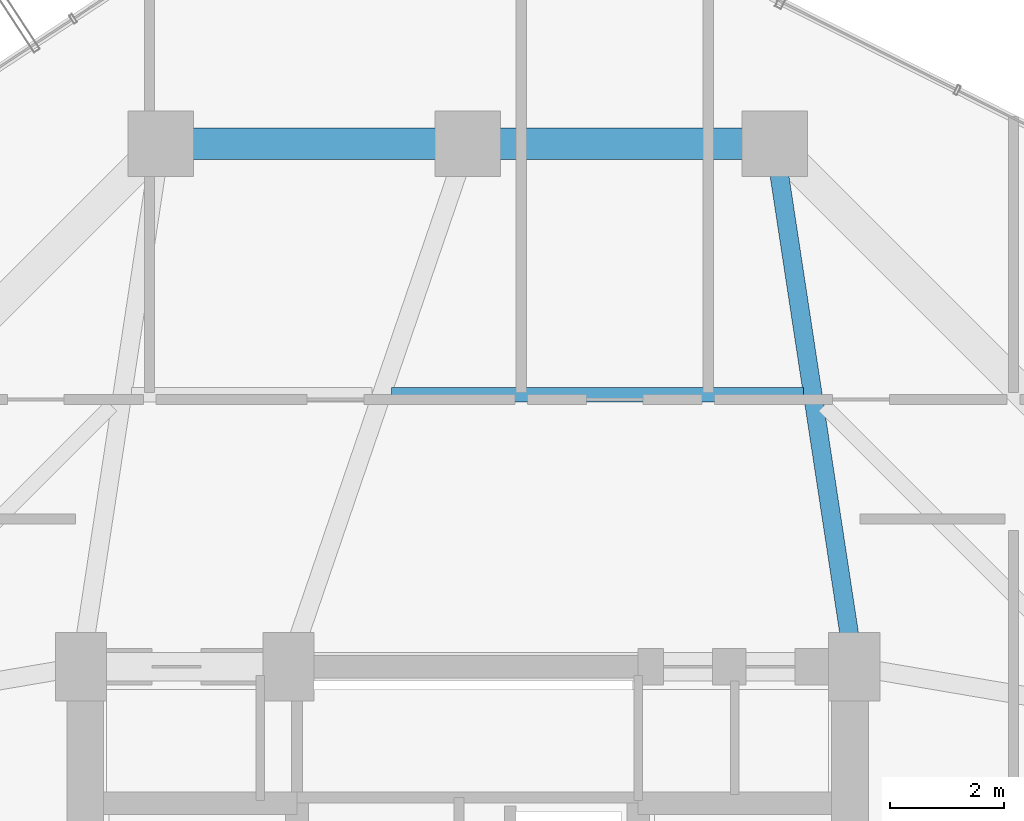
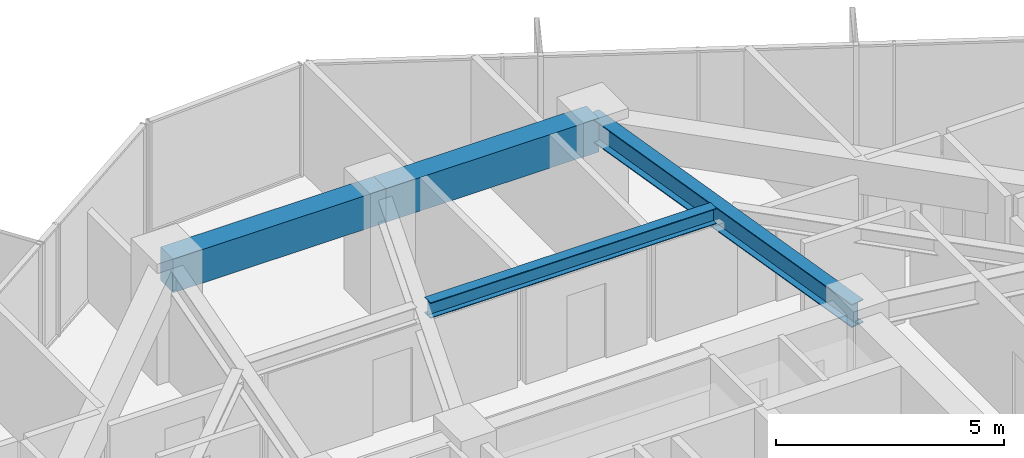
# One storey, part 22 of 33: 4 beams.
"""IFC4 building model written with IfcOpenShell, lengths in metres."""

import ifcopenshell
import ifcopenshell.guid

model = None  # the IFC model being written
_history = None  # IfcOwnerHistory: only IFC2X3 demands one
_inside = {}  # id of a spatial element -> (the spatial element, [elements in it])
_under = {}  # id of a project, library or spatial element -> (it, [spatial elements below it])
_declared = {}  # id of a project -> (the project, [libraries it declares])
_typed = {}  # id of a type object -> (the type object, [elements of that type])
_made_of = {}  # id of a material, layer set ... -> (it, [elements and type objects made of it])


def new_model(schema):
    """Start an empty IFC model of exactly this schema.

    Asked for "IFC4X3", IfcOpenShell would pick the latest addendum, in which some entities
    have other attributes; the version numbers below select the first issue.
    IFC2X3 requires an IfcOwnerHistory on every rooted entity: one is made here for all.
    """
    global model, _history
    if schema == "IFC4X3":
        model = ifcopenshell.file(schema_version=(4, 3, 0, 0))
    else:
        model = ifcopenshell.file(schema=schema)
    _inside.clear()
    _under.clear()
    _declared.clear()
    _typed.clear()
    _made_of.clear()
    _history = None
    if model.schema == "IFC2X3":
        org = make("IfcOrganization", Name="unknown")
        user = make(
            "IfcPersonAndOrganization",
            ThePerson=make("IfcPerson", FamilyName="unknown"),
            TheOrganization=org,
        )
        app = make(
            "IfcApplication",
            ApplicationDeveloper=org,
            Version="unknown",
            ApplicationFullName="unknown",
            ApplicationIdentifier="unknown",
        )
        _history = make(
            "IfcOwnerHistory",
            OwningUser=user,
            OwningApplication=app,
            ChangeAction="ADDED",
            CreationDate=0,
        )
    return model


def make(cls, **values):
    """One entity of the class cls with the attributes given. An attribute that is None is left unset."""
    return model.create_entity(
        cls, **{name: value for name, value in values.items() if value is not None}
    )


def rooted(cls, **values):
    """An entity with a GlobalId (a new one), such as an element, a storey or a relation."""
    return make(cls, GlobalId=ifcopenshell.guid.new(), OwnerHistory=_history, **values)


def si_unit(unit_type, name, prefix=None):
    """IfcSIUnit, for example si_unit("LENGTHUNIT", "METRE", prefix="MILLI")."""
    return make("IfcSIUnit", UnitType=unit_type, Prefix=prefix, Name=name)


def assignment(units):
    """IfcUnitAssignment: the units of a project."""
    return None if units is None else make("IfcUnitAssignment", Units=units)


def point(xyz):
    """IfcCartesianPoint."""
    return None if xyz is None else make("IfcCartesianPoint", Coordinates=xyz)


def direction(xyz):
    """IfcDirection."""
    return None if xyz is None else make("IfcDirection", DirectionRatios=xyz)


def frame(location, z_axis=None, x_axis=None):
    """IfcAxis2Placement3D, a coordinate frame: its origin and axes. An axis left out is left unset."""
    return make(
        "IfcAxis2Placement3D",
        Location=point(location),
        Axis=direction(z_axis),
        RefDirection=direction(x_axis),
    )


def frame_2d(location, x_axis=None):
    """IfcAxis2Placement2D, a coordinate frame in the plane: its origin and x axis."""
    return make(
        "IfcAxis2Placement2D", Location=point(location), RefDirection=direction(x_axis)
    )


def origin():
    """The frame at (0, 0, 0) with its axes left unset."""
    return frame((0.0, 0.0, 0.0))


def origin_2d():
    """The frame at (0, 0) in the plane with its x axis left unset."""
    return frame_2d((0.0, 0.0))


def place(relative_to, where):
    """IfcLocalPlacement: puts the frame where relative to a parent placement (None: the world)."""
    return make(
        "IfcLocalPlacement", PlacementRelTo=relative_to, RelativePlacement=where
    )


def context(
    kind, dimensions, precision=None, world=None, true_north=None, identifier=None
):
    """IfcGeometricRepresentationContext, for example the 3D "Model" context."""
    return make(
        "IfcGeometricRepresentationContext",
        ContextIdentifier=identifier,
        ContextType=kind,
        CoordinateSpaceDimension=dimensions,
        Precision=precision,
        WorldCoordinateSystem=world,
        TrueNorth=true_north,
    )


def subcontext(parent, identifier, kind, view, scale=None):
    """IfcGeometricRepresentationSubContext, for example "Body" below "Model"."""
    return make(
        "IfcGeometricRepresentationSubContext",
        ContextIdentifier=identifier,
        ContextType=kind,
        ParentContext=parent,
        TargetScale=scale,
        TargetView=view,
    )


def project(units=None, contexts=None):
    """IfcProject with its units and contexts."""
    return rooted(
        "IfcProject",
        Name="project",
        RepresentationContexts=contexts,
        UnitsInContext=assignment(units),
    )


def spatial(cls, under=None, at=None, **own):
    """A site, building, storey or space (cls), placed at a placement, below another one or the project."""
    s = rooted(cls, ObjectPlacement=at, **own)
    if under is not None:
        _under.setdefault(under.id(), (under, []))[1].append(s)
    return s


def profile(cls, at=None, kind="AREA", **sizes):
    """A parametric profile (cls). Its sizes go by their IFC names, for example OverallWidth=200.0."""
    return make(cls, ProfileType=kind, Position=at, **sizes)


def rectangle(**sizes):
    """IfcRectangleProfileDef."""
    return profile("IfcRectangleProfileDef", **sizes)


def i_section(**sizes):
    """IfcIShapeProfileDef."""
    return profile("IfcIShapeProfileDef", **sizes)


def extrude(swept, where, along, depth):
    """IfcExtrudedAreaSolid: the profile swept, set in the frame where, extruded along a direction by depth."""
    return make(
        "IfcExtrudedAreaSolid",
        SweptArea=swept,
        Position=where,
        ExtrudedDirection=direction(along),
        Depth=depth,
    )


def shape(context_of_items, identifier, shape_type, items):
    """IfcShapeRepresentation: the items that make up one representation, for example the "Body"."""
    return make(
        "IfcShapeRepresentation",
        ContextOfItems=context_of_items,
        RepresentationIdentifier=identifier,
        RepresentationType=shape_type,
        Items=items,
    )


def material(Name=None, Category=None):
    """IfcMaterial."""
    return make("IfcMaterial", Name=Name, Category=Category)


def material_profile(
    of_material, cross_section, Name=None, Category=None, Priority=None
):
    """IfcMaterialProfile: a cross section and its material."""
    return make(
        "IfcMaterialProfile",
        Name=Name,
        Material=of_material,
        Profile=cross_section,
        Priority=Priority,
        Category=Category,
    )


def profile_set(profiles, Name=None, composite=None):
    """IfcMaterialProfileSet."""
    return make(
        "IfcMaterialProfileSet",
        Name=Name,
        MaterialProfiles=profiles,
        CompositeProfile=composite,
    )


def made_of(thing, what):
    """Note that an element or type object is made of a material, layer set ...; save() writes the relation."""
    if what is not None:
        _made_of.setdefault(what.id(), (what, []))[1].append(thing)
    return thing


def type_object(cls, material=None, **own):
    """A type object (cls), such as IfcWallType, which elements share."""
    return made_of(rooted(cls, **own), material)


def element(
    cls,
    number,
    at=None,
    inside=None,
    cuts=None,
    type_object=None,
    material=None,
    context=None,
    identifier="Body",
    shape_type=None,
    held_by="IfcProductDefinitionShape",
    body=None,
    shapes=None,
    **own,
):
    """One element of the class cls, such as IfcWall. Its Tag is "e" and its number.

    at: its placement. inside: the storey or other place that contains it. cuts: it is an
    opening in that element (IfcRelVoidsElement). A single representation is given by context,
    identifier, shape_type and body (its items); several are given by shapes. held_by: the class
    of the entity that holds the representations. save() writes the other relations.
    """
    e = rooted(cls, Tag="e%d" % number, ObjectPlacement=at, **own)
    if body is not None:
        shapes = [shape(context, identifier, shape_type, body)]
    if shapes is not None:
        e.Representation = make(held_by, Representations=shapes)
    if inside is not None:
        _inside.setdefault(inside.id(), (inside, []))[1].append(e)
    if cuts is not None:
        rooted(
            "IfcRelVoidsElement", RelatingBuildingElement=cuts, RelatedOpeningElement=e
        )
    if type_object is not None:
        _typed.setdefault(type_object.id(), (type_object, []))[1].append(e)
    return made_of(e, material)


def aggregate(whole, parts):
    """IfcRelAggregates: a whole, such as a stair, and the parts it consists of."""
    return rooted("IfcRelAggregates", RelatingObject=whole, RelatedObjects=parts)


def save(model, path):
    """Write the relations noted so far, then the file.

    IfcRelAggregates (storeys below a building ...), IfcRelContainedInSpatialStructure (elements
    in a storey), IfcRelDefinesByType, IfcRelAssociatesMaterial and IfcRelDeclares: one each for
    every whole, place, type object, material and project.
    """
    for whole, parts in _under.values():
        aggregate(whole, parts)
    for where, things in _inside.values():
        rooted(
            "IfcRelContainedInSpatialStructure",
            RelatedElements=things,
            RelatingStructure=where,
        )
    for kind, things in _typed.values():
        rooted("IfcRelDefinesByType", RelatedObjects=things, RelatingType=kind)
    for what, things in _made_of.values():
        rooted("IfcRelAssociatesMaterial", RelatedObjects=things, RelatingMaterial=what)
    for by, libraries in _declared.values():
        rooted("IfcRelDeclares", RelatingContext=by, RelatedDefinitions=libraries)
    model.write(path)


model = new_model("IFC4")

# Units and contexts
model_context = context("Model", 3, precision=1e-05, world=origin(), true_north=direction((0.0, 1.0)))
body_context = subcontext(model_context, "Body", "Model", "MODEL_VIEW")
ifc_project = project(units=[si_unit("LENGTHUNIT", "METRE"), si_unit("AREAUNIT", "SQUARE_METRE"), si_unit("VOLUMEUNIT", "CUBIC_METRE"), si_unit("PLANEANGLEUNIT", "RADIAN"), si_unit("MASSUNIT", "GRAM", prefix="KILO")], contexts=[model_context])

# Site, building, storey
site_placement = place(None, origin())
site = spatial("IfcSite", under=ifc_project, at=site_placement, CompositionType="ELEMENT")
building_placement = place(site_placement, origin())
building = spatial("IfcBuilding", under=site, at=building_placement, Name="Veraguas Prism Commons", CompositionType="ELEMENT")
storey_placement = place(building_placement, frame((0.0, 0.0, 139.25)))
storey = spatial("IfcBuildingStorey", under=building, at=storey_placement, Name="L39", CompositionType="ELEMENT", Elevation=139.25)

# Beams
ifc_material_1 = material(Name="Steel ASTM A992 Grade 50", Category="steel")
ifc_material_profile_1 = material_profile(ifc_material_1, i_section(OverallWidth=0.260986328125, OverallDepth=0.419921875, WebThickness=0.01171875, FlangeThickness=0.019287109375, at=origin_2d()), Name="W410X114")
ifc_profile_set_1 = profile_set([ifc_material_profile_1], Name="Steel ASTM A992 Grade 50")
beam_type_1 = type_object("IfcBeamType", Name="Lower Floor Joist W410x114", PredefinedType="JOIST", material=ifc_profile_set_1)
beam_1_placement = place(storey_placement, frame((29.908203125, 35.783935546875, 2.7900390625), z_axis=(-1.0, 0.0, 0.0), x_axis=(0.0, -1.0, 0.0)))
element("IfcBeam", 1, at=beam_1_placement, inside=storey, type_object=beam_type_1, Name="Composite Floor Joist L39-JS04", PredefinedType="JOIST", context=body_context, shape_type="SweptSolid", body=[
    extrude(i_section(OverallWidth=0.260986328125, OverallDepth=0.419921875, WebThickness=0.01171875, FlangeThickness=0.019287109375, at=origin_2d()), origin(), (0.0, 0.0, 1.0), 7.2490234375),
])
ifc_material_2 = material(Name="Concrete C50/60", Category="concrete")
ifc_material_profile_2 = material_profile(ifc_material_2, rectangle(XDim=0.550048828125, YDim=0.89990234375, at=origin_2d()), Name="RC550X900")
ifc_profile_set_2 = profile_set([ifc_material_profile_2], Name="Concrete C50/60")
beam_type_2 = type_object("IfcBeamType", Name="Perimeter Spandrel Lower RC 550x900", PredefinedType="SPANDREL", material=ifc_profile_set_2)
for number, where, z_axis, x_axis, name in (
    (2, (29.39990234375, 40.199951171875, 2.550048828125), (-1.0, 0.0, 0.0), (0.0, -1.0, 0.0), "Perimeter Spandrel Beam L39-SP04"),
    (3, (24.0, 40.199951171875, 2.550048828125), (-1.0, 0.0, 0.0), (0.0, -1.0, 0.0), "Perimeter Spandrel Beam L39-SP05"),
):
    element("IfcBeam", number, at=place(storey_placement, frame(where, z_axis=z_axis, x_axis=x_axis)), inside=storey, type_object=beam_type_2, Name=name, PredefinedType="SPANDREL", context=body_context, shape_type="SweptSolid", body=[
        extrude(rectangle(XDim=0.550048828125, YDim=0.89990234375, at=origin_2d()), origin(), (0.0, 0.0, 1.0), 5.39990234375),
    ])
ifc_material_profile_3 = material_profile(ifc_material_1, i_section(OverallWidth=0.327880859375, OverallDepth=0.6220703125, WebThickness=0.015380859375, FlangeThickness=0.0244140625, at=origin_2d()), Name="W610X195")
ifc_profile_set_3 = profile_set([ifc_material_profile_3], Name="Steel ASTM A992 Grade 50")
beam_type_3 = type_object("IfcBeamType", Name="Zone 2 Radial Girder W610x195", PredefinedType="BEAM", material=ifc_profile_set_3)
beam_2_placement = place(storey_placement, frame((29.39990234375, 40.199951171875, 2.68896484375), z_axis=(0.150458162136, -0.98861637729, 0.0), x_axis=(0.98861637729, 0.150458162136, 0.0)))
element("IfcBeam", 4, at=beam_2_placement, inside=storey, type_object=beam_type_3, Name="Radial Floor Girder L39-RD04", PredefinedType="BEAM", context=body_context, shape_type="SweptSolid", body=[
    extrude(i_section(OverallWidth=0.327880859375, OverallDepth=0.6220703125, WebThickness=0.015380859375, FlangeThickness=0.0244140625, at=origin_2d()), origin(), (0.0, 0.0, 1.0), 9.305908203125),
])

save(model, "model.ifc")
